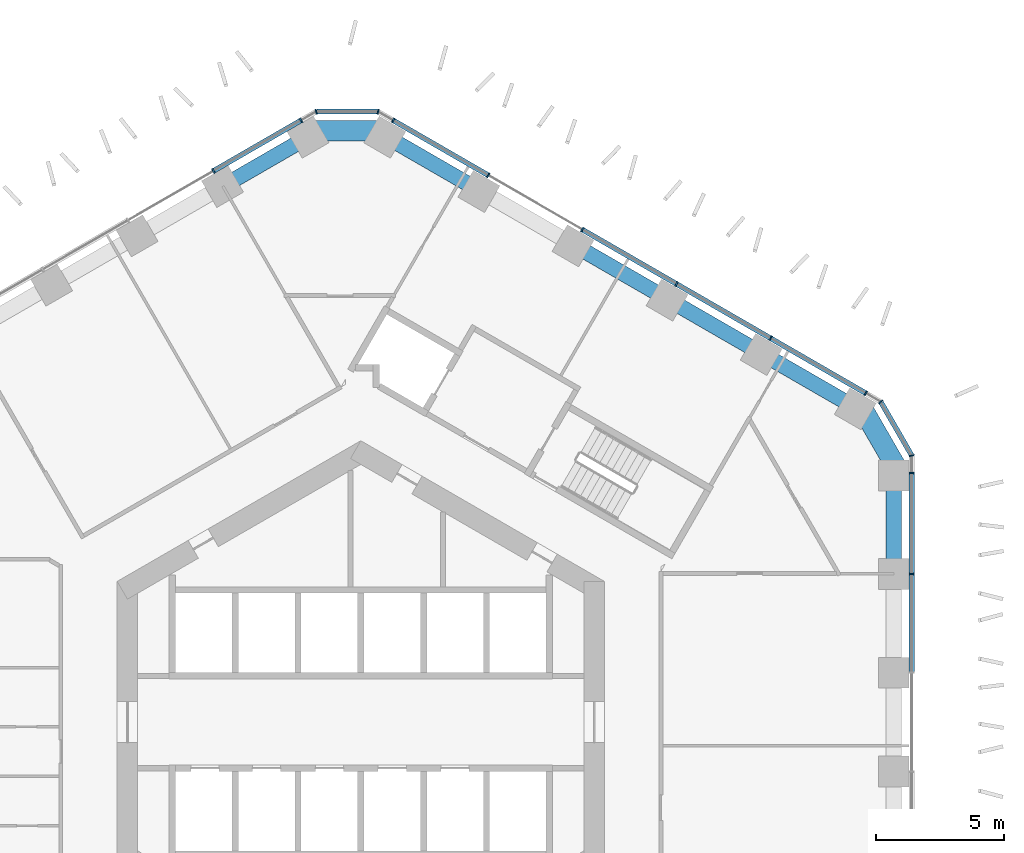
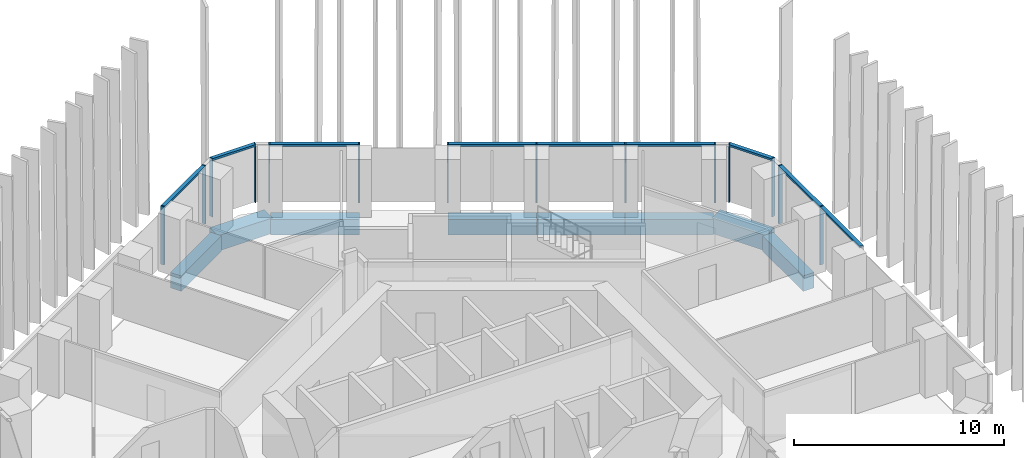
# One storey, part 6 of 19: 20 members, 8 beams, 5 elements without a shape of their own.
"""IFC4 building model written with IfcOpenShell, lengths in metres."""

import ifcopenshell
import ifcopenshell.guid

model = None  # the IFC model being written
_history = None  # IfcOwnerHistory: only IFC2X3 demands one
_inside = {}  # id of a spatial element -> (the spatial element, [elements in it])
_under = {}  # id of a project, library or spatial element -> (it, [spatial elements below it])
_declared = {}  # id of a project -> (the project, [libraries it declares])
_typed = {}  # id of a type object -> (the type object, [elements of that type])
_made_of = {}  # id of a material, layer set ... -> (it, [elements and type objects made of it])


def new_model(schema):
    """Start an empty IFC model of exactly this schema.

    Asked for "IFC4X3", IfcOpenShell would pick the latest addendum, in which some entities
    have other attributes; the version numbers below select the first issue.
    IFC2X3 requires an IfcOwnerHistory on every rooted entity: one is made here for all.
    """
    global model, _history
    if schema == "IFC4X3":
        model = ifcopenshell.file(schema_version=(4, 3, 0, 0))
    else:
        model = ifcopenshell.file(schema=schema)
    _inside.clear()
    _under.clear()
    _declared.clear()
    _typed.clear()
    _made_of.clear()
    _history = None
    if model.schema == "IFC2X3":
        org = make("IfcOrganization", Name="unknown")
        user = make(
            "IfcPersonAndOrganization",
            ThePerson=make("IfcPerson", FamilyName="unknown"),
            TheOrganization=org,
        )
        app = make(
            "IfcApplication",
            ApplicationDeveloper=org,
            Version="unknown",
            ApplicationFullName="unknown",
            ApplicationIdentifier="unknown",
        )
        _history = make(
            "IfcOwnerHistory",
            OwningUser=user,
            OwningApplication=app,
            ChangeAction="ADDED",
            CreationDate=0,
        )
    return model


def make(cls, **values):
    """One entity of the class cls with the attributes given. An attribute that is None is left unset."""
    return model.create_entity(
        cls, **{name: value for name, value in values.items() if value is not None}
    )


def rooted(cls, **values):
    """An entity with a GlobalId (a new one), such as an element, a storey or a relation."""
    return make(cls, GlobalId=ifcopenshell.guid.new(), OwnerHistory=_history, **values)


def si_unit(unit_type, name, prefix=None):
    """IfcSIUnit, for example si_unit("LENGTHUNIT", "METRE", prefix="MILLI")."""
    return make("IfcSIUnit", UnitType=unit_type, Prefix=prefix, Name=name)


def assignment(units):
    """IfcUnitAssignment: the units of a project."""
    return None if units is None else make("IfcUnitAssignment", Units=units)


def point(xyz):
    """IfcCartesianPoint."""
    return None if xyz is None else make("IfcCartesianPoint", Coordinates=xyz)


def direction(xyz):
    """IfcDirection."""
    return None if xyz is None else make("IfcDirection", DirectionRatios=xyz)


def frame(location, z_axis=None, x_axis=None):
    """IfcAxis2Placement3D, a coordinate frame: its origin and axes. An axis left out is left unset."""
    return make(
        "IfcAxis2Placement3D",
        Location=point(location),
        Axis=direction(z_axis),
        RefDirection=direction(x_axis),
    )


def frame_2d(location, x_axis=None):
    """IfcAxis2Placement2D, a coordinate frame in the plane: its origin and x axis."""
    return make(
        "IfcAxis2Placement2D", Location=point(location), RefDirection=direction(x_axis)
    )


def origin():
    """The frame at (0, 0, 0) with its axes left unset."""
    return frame((0.0, 0.0, 0.0))


def origin_2d():
    """The frame at (0, 0) in the plane with its x axis left unset."""
    return frame_2d((0.0, 0.0))


def place(relative_to, where):
    """IfcLocalPlacement: puts the frame where relative to a parent placement (None: the world)."""
    return make(
        "IfcLocalPlacement", PlacementRelTo=relative_to, RelativePlacement=where
    )


def context(
    kind, dimensions, precision=None, world=None, true_north=None, identifier=None
):
    """IfcGeometricRepresentationContext, for example the 3D "Model" context."""
    return make(
        "IfcGeometricRepresentationContext",
        ContextIdentifier=identifier,
        ContextType=kind,
        CoordinateSpaceDimension=dimensions,
        Precision=precision,
        WorldCoordinateSystem=world,
        TrueNorth=true_north,
    )


def subcontext(parent, identifier, kind, view, scale=None):
    """IfcGeometricRepresentationSubContext, for example "Body" below "Model"."""
    return make(
        "IfcGeometricRepresentationSubContext",
        ContextIdentifier=identifier,
        ContextType=kind,
        ParentContext=parent,
        TargetScale=scale,
        TargetView=view,
    )


def project(units=None, contexts=None):
    """IfcProject with its units and contexts."""
    return rooted(
        "IfcProject",
        Name="project",
        RepresentationContexts=contexts,
        UnitsInContext=assignment(units),
    )


def spatial(cls, under=None, at=None, **own):
    """A site, building, storey or space (cls), placed at a placement, below another one or the project."""
    s = rooted(cls, ObjectPlacement=at, **own)
    if under is not None:
        _under.setdefault(under.id(), (under, []))[1].append(s)
    return s


def profile(cls, at=None, kind="AREA", **sizes):
    """A parametric profile (cls). Its sizes go by their IFC names, for example OverallWidth=200.0."""
    return make(cls, ProfileType=kind, Position=at, **sizes)


def rectangle(**sizes):
    """IfcRectangleProfileDef."""
    return profile("IfcRectangleProfileDef", **sizes)


def extrude(swept, where, along, depth):
    """IfcExtrudedAreaSolid: the profile swept, set in the frame where, extruded along a direction by depth."""
    return make(
        "IfcExtrudedAreaSolid",
        SweptArea=swept,
        Position=where,
        ExtrudedDirection=direction(along),
        Depth=depth,
    )


def shape(context_of_items, identifier, shape_type, items):
    """IfcShapeRepresentation: the items that make up one representation, for example the "Body"."""
    return make(
        "IfcShapeRepresentation",
        ContextOfItems=context_of_items,
        RepresentationIdentifier=identifier,
        RepresentationType=shape_type,
        Items=items,
    )


def material(Name=None, Category=None):
    """IfcMaterial."""
    return make("IfcMaterial", Name=Name, Category=Category)


def layer(
    of_material, thickness, ventilated=None, Name=None, Category=None, Priority=None
):
    """IfcMaterialLayer: one layer of a wall or slab, of a material (None: an air gap)."""
    return make(
        "IfcMaterialLayer",
        Material=of_material,
        LayerThickness=thickness,
        IsVentilated=ventilated,
        Name=Name,
        Category=Category,
        Priority=Priority,
    )


def layer_set(layers, Name=None):
    """IfcMaterialLayerSet."""
    return make("IfcMaterialLayerSet", MaterialLayers=layers, LayerSetName=Name)


def material_profile(
    of_material, cross_section, Name=None, Category=None, Priority=None
):
    """IfcMaterialProfile: a cross section and its material."""
    return make(
        "IfcMaterialProfile",
        Name=Name,
        Material=of_material,
        Profile=cross_section,
        Priority=Priority,
        Category=Category,
    )


def profile_set(profiles, Name=None, composite=None):
    """IfcMaterialProfileSet."""
    return make(
        "IfcMaterialProfileSet",
        Name=Name,
        MaterialProfiles=profiles,
        CompositeProfile=composite,
    )


def made_of(thing, what):
    """Note that an element or type object is made of a material, layer set ...; save() writes the relation."""
    if what is not None:
        _made_of.setdefault(what.id(), (what, []))[1].append(thing)
    return thing


def type_object(cls, material=None, **own):
    """A type object (cls), such as IfcWallType, which elements share."""
    return made_of(rooted(cls, **own), material)


def element(
    cls,
    number,
    at=None,
    inside=None,
    cuts=None,
    type_object=None,
    material=None,
    context=None,
    identifier="Body",
    shape_type=None,
    held_by="IfcProductDefinitionShape",
    body=None,
    shapes=None,
    **own,
):
    """One element of the class cls, such as IfcWall. Its Tag is "e" and its number.

    at: its placement. inside: the storey or other place that contains it. cuts: it is an
    opening in that element (IfcRelVoidsElement). A single representation is given by context,
    identifier, shape_type and body (its items); several are given by shapes. held_by: the class
    of the entity that holds the representations. save() writes the other relations.
    """
    e = rooted(cls, Tag="e%d" % number, ObjectPlacement=at, **own)
    if body is not None:
        shapes = [shape(context, identifier, shape_type, body)]
    if shapes is not None:
        e.Representation = make(held_by, Representations=shapes)
    if inside is not None:
        _inside.setdefault(inside.id(), (inside, []))[1].append(e)
    if cuts is not None:
        rooted(
            "IfcRelVoidsElement", RelatingBuildingElement=cuts, RelatedOpeningElement=e
        )
    if type_object is not None:
        _typed.setdefault(type_object.id(), (type_object, []))[1].append(e)
    return made_of(e, material)


def aggregate(whole, parts):
    """IfcRelAggregates: a whole, such as a stair, and the parts it consists of."""
    return rooted("IfcRelAggregates", RelatingObject=whole, RelatedObjects=parts)


def save(model, path):
    """Write the relations noted so far, then the file.

    IfcRelAggregates (storeys below a building ...), IfcRelContainedInSpatialStructure (elements
    in a storey), IfcRelDefinesByType, IfcRelAssociatesMaterial and IfcRelDeclares: one each for
    every whole, place, type object, material and project.
    """
    for whole, parts in _under.values():
        aggregate(whole, parts)
    for where, things in _inside.values():
        rooted(
            "IfcRelContainedInSpatialStructure",
            RelatedElements=things,
            RelatingStructure=where,
        )
    for kind, things in _typed.values():
        rooted("IfcRelDefinesByType", RelatedObjects=things, RelatingType=kind)
    for what, things in _made_of.values():
        rooted("IfcRelAssociatesMaterial", RelatedObjects=things, RelatingMaterial=what)
    for by, libraries in _declared.values():
        rooted("IfcRelDeclares", RelatingContext=by, RelatedDefinitions=libraries)
    model.write(path)


model = new_model("IFC4")

# Units and contexts
model_context = context("Model", 3, precision=1e-05, world=origin(), true_north=direction((0.0, 1.0)))
body_context = subcontext(model_context, "Body", "Model", "MODEL_VIEW")
ifc_project = project(units=[si_unit("LENGTHUNIT", "METRE"), si_unit("AREAUNIT", "SQUARE_METRE"), si_unit("VOLUMEUNIT", "CUBIC_METRE"), si_unit("PLANEANGLEUNIT", "RADIAN"), si_unit("MASSUNIT", "GRAM", prefix="KILO")], contexts=[model_context])

# Site, building, storey
site_placement = place(None, origin())
site = spatial("IfcSite", under=ifc_project, at=site_placement, CompositionType="ELEMENT")
building_placement = place(site_placement, origin())
building = spatial("IfcBuilding", under=site, at=building_placement, Name="Ayvan Gate Tower", CompositionType="ELEMENT")
storey_placement = place(building_placement, frame((0.0, 0.0, 56.10009765625)))
storey = spatial("IfcBuildingStorey", under=building, at=storey_placement, Name="L14", CompositionType="ELEMENT", Elevation=56.10009765625)

# Beams
ifc_material_1 = material(Name="Concrete C40/50", Category="concrete")
ifc_material_profile_1 = material_profile(ifc_material_1, rectangle(XDim=0.800048828125, YDim=0.89990234375, at=origin_2d()), Name="RC 800x900")
ifc_profile_set_1 = profile_set([ifc_material_profile_1], Name="Concrete C40/50")
beam_type_1 = type_object("IfcBeamType", Name="Corner spandrel beam RC 800x900 C40/50", PredefinedType="BEAM", material=ifc_profile_set_1)
for number, where, z_axis, x_axis, name in (
    (1, (20.97509765625, 9.77734375, -0.800048828125), (-0.499990139034, 0.866031096941, 0.0), (-0.866031096941, -0.499990139034, 0.0), "SB-L14-6"),
    (2, (0.979736328125, 23.0537109375, -0.800048828125), (-1.0, 0.0, 0.0), (0.0, -1.0, 0.0), "SB-L14-12"),
):
    element("IfcBeam", number, at=place(storey_placement, frame(where, z_axis=z_axis, x_axis=x_axis)), inside=storey, type_object=beam_type_1, Name=name, PredefinedType="BEAM", context=body_context, shape_type="SweptSolid", body=[
        extrude(rectangle(XDim=0.800048828125, YDim=0.89990234375, at=origin_2d()), origin(), (0.0, 0.0, 1.0), 3.0),
    ])
ifc_material_profile_2 = material_profile(ifc_material_1, rectangle(XDim=0.60009765625, YDim=0.89990234375, at=origin_2d()), Name="RC 600x900")
ifc_profile_set_2 = profile_set([ifc_material_profile_2], Name="Concrete C40/50")
beam_type_2 = type_object("IfcBeamType", Name="Spandrel beam RC 600x900 C40/50", PredefinedType="BEAM", material=ifc_profile_set_2)
beam_1_placement = place(storey_placement, frame((20.78466796875, 5.80029296875, -0.800048828125), z_axis=(0.0, 1.0, 0.0), x_axis=(-1.0, 0.0, 0.0)))
element("IfcBeam", 3, at=beam_1_placement, inside=storey, type_object=beam_type_2, Name="SB-L14-5", PredefinedType="BEAM", context=body_context, shape_type="SweptSolid", body=[
    extrude(rectangle(XDim=0.60009765625, YDim=0.89990234375, at=origin_2d()), origin(), (0.0, 0.0, 1.0), 3.866943359375),
])
beam_2_placement = place(storey_placement, frame((19.28466796875, 12.265380859375, -0.800048828125), z_axis=(-0.866024019333, 0.500002397932, 0.0), x_axis=(-0.500002397932, -0.866024019333, 0.0)))
element("IfcBeam", 4, at=beam_2_placement, inside=storey, type_object=beam_type_2, Name="SB-L14-7", PredefinedType="BEAM", context=body_context, shape_type="SweptSolid", body=[
    extrude(rectangle(XDim=0.60009765625, YDim=0.89990234375, at=origin_2d()), origin(), (0.0, 0.0, 1.0), 4.2275390625),
])
for number, where, z_axis, x_axis, name in (
    (5, (15.62353515625, 14.379150390625, -0.800048828125), (-0.86603458896, 0.499984090472, 0.0), (-0.499984090472, -0.86603458896, 0.0), "SB-L14-8"),
    (6, (11.962646484375, 16.49267578125, -0.800048828125), (-0.866009580528, 0.500027405683, 0.0), (-0.500027405683, -0.866009580528, 0.0), "SB-L14-9"),
):
    element("IfcBeam", number, at=place(storey_placement, frame(where, z_axis=z_axis, x_axis=x_axis)), inside=storey, type_object=beam_type_2, Name=name, PredefinedType="BEAM", context=body_context, shape_type="SweptSolid", body=[
        extrude(rectangle(XDim=0.60009765625, YDim=0.89990234375, at=origin_2d()), origin(), (0.0, 0.0, 1.0), 4.227294921875),
    ])
beam_3_placement = place(storey_placement, frame((4.640869140625, 20.719970703125, -0.800048828125), z_axis=(-0.866024019333, 0.500002397932, 0.0), x_axis=(-0.500002397932, -0.866024019333, 0.0)))
element("IfcBeam", 7, at=beam_3_placement, inside=storey, type_object=beam_type_2, Name="SB-L14-11", PredefinedType="BEAM", context=body_context, shape_type="SweptSolid", body=[
    extrude(rectangle(XDim=0.60009765625, YDim=0.89990234375, at=origin_2d()), origin(), (0.0, 0.0, 1.0), 4.2275390625),
])
beam_4_placement = place(storey_placement, frame((-2.020263671875, 22.833740234375, -0.800048828125), z_axis=(-0.865996321171, -0.50005036918, 0.0), x_axis=(0.50005036918, -0.865996321171, 0.0)))
element("IfcBeam", 8, at=beam_4_placement, inside=storey, type_object=beam_type_2, Name="SB-L14-13", PredefinedType="BEAM", context=body_context, shape_type="SweptSolid", body=[
    extrude(rectangle(XDim=0.60009765625, YDim=0.89990234375, at=origin_2d()), origin(), (0.0, 0.0, 1.0), 3.86669921875),
])

# Curtain wall, members
ifc_material_2 = material(Name="Bronze anodised aluminium", Category="aluminium")
ifc_layer_1 = layer(ifc_material_2, 0.199951171875)
ifc_layer_set_1 = layer_set([ifc_layer_1], Name="Bronze anodised aluminium")
curtain_wall_type_1 = type_object("IfcCurtainWallType", Name="Stick curtain wall CW-1", PredefinedType="NOTDEFINED", material=ifc_layer_set_1)
curtain_wall_1_placement = place(storey_placement, origin())
curtain_wall_1 = element("IfcCurtainWall", 9, at=curtain_wall_1_placement, inside=storey, type_object=curtain_wall_type_1, Name="Stick curtain wall CW-1 L14", PredefinedType="NOTDEFINED")
ifc_material_profile_3 = material_profile(ifc_material_2, rectangle(XDim=0.199951171875, YDim=0.06005859375, at=origin_2d()), Name="Stick curtain wall CW-1 mullion 200 x 60")
ifc_profile_set_3 = profile_set([ifc_material_profile_3], Name="Bronze anodised aluminium")
member_type_1 = type_object("IfcMemberType", Name="Stick curtain wall CW-1 mullion 200 x 60", PredefinedType="MULLION", material=ifc_profile_set_3)
member_1_placement = place(storey_placement, frame((-2.330322265625, 23.462890625, 0.0), z_axis=(0.0, 0.0, 1.0), x_axis=(-0.5, 0.866025403784, 0.0)))
member_1 = element("IfcMember", 10, at=member_1_placement, type_object=member_type_1, Name="CW-1 mullion 1", PredefinedType="MULLION", context=body_context, shape_type="SweptSolid", body=[
    extrude(rectangle(XDim=0.199951171875, YDim=0.06005859375, at=origin_2d()), origin(), (0.0, 0.0, 1.0), 3.39990234375),
])
member_2_placement = place(storey_placement, frame((-5.7451171875, 21.491455078125, 0.0), z_axis=(0.0, 0.0, 1.0), x_axis=(-0.5, 0.866025403784, 0.0)))
member_2 = element("IfcMember", 11, at=member_2_placement, type_object=member_type_1, Name="CW-1 mullion 2", PredefinedType="MULLION", context=body_context, shape_type="SweptSolid", body=[
    extrude(rectangle(XDim=0.199951171875, YDim=0.06005859375, at=origin_2d()), origin(), (0.0, 0.0, 1.0), 3.39990234375),
])

curtain_wall_2_placement = place(storey_placement, origin())
curtain_wall_2 = element("IfcCurtainWall", 12, at=curtain_wall_2_placement, inside=storey, type_object=curtain_wall_type_1, Name="Stick curtain wall CW-1 L14", PredefinedType="NOTDEFINED")
member_3_placement = place(storey_placement, frame((21.484619140625, 5.770751953125, 0.0), z_axis=(0.0, 0.0, 1.0), x_axis=(1.0, 0.0, 0.0)))
member_3 = element("IfcMember", 13, at=member_3_placement, type_object=member_type_1, Name="CW-1 mullion 5", PredefinedType="MULLION", context=body_context, shape_type="SweptSolid", body=[
    extrude(rectangle(XDim=0.199951171875, YDim=0.06005859375, at=origin_2d()), origin(), (0.0, 0.0, 1.0), 3.39990234375),
])
member_4_placement = place(storey_placement, frame((21.484619140625, 9.71337890625, 0.0), z_axis=(0.0, 0.0, 1.0), x_axis=(1.0, 0.0, 0.0)))
member_4 = element("IfcMember", 14, at=member_4_placement, type_object=member_type_1, Name="CW-1 mullion 6", PredefinedType="MULLION", context=body_context, shape_type="SweptSolid", body=[
    extrude(rectangle(XDim=0.199951171875, YDim=0.06005859375, at=origin_2d()), origin(), (0.0, 0.0, 1.0), 3.39990234375),
])

curtain_wall_3_placement = place(storey_placement, origin())
curtain_wall_3 = element("IfcCurtainWall", 15, at=curtain_wall_3_placement, inside=storey, type_object=curtain_wall_type_1, Name="Stick curtain wall CW-1 L14", PredefinedType="NOTDEFINED")
member_5_placement = place(storey_placement, frame((19.6884765625, 12.824462890625, 0.0), z_axis=(0.0, 0.0, 1.0), x_axis=(0.5, 0.866025403784, 0.0)))
member_5 = element("IfcMember", 16, at=member_5_placement, type_object=member_type_1, Name="CW-1 mullion 1", PredefinedType="MULLION", context=body_context, shape_type="SweptSolid", body=[
    extrude(rectangle(XDim=0.199951171875, YDim=0.06005859375, at=origin_2d()), origin(), (0.0, 0.0, 1.0), 3.39990234375),
])
member_6_placement = place(storey_placement, frame((15.980224609375, 14.96533203125, 0.0), z_axis=(0.0, 0.0, 1.0), x_axis=(0.5, 0.866025403784, 0.0)))
member_6 = element("IfcMember", 17, at=member_6_placement, type_object=member_type_1, Name="CW-1 mullion 2", PredefinedType="MULLION", context=body_context, shape_type="SweptSolid", body=[
    extrude(rectangle(XDim=0.199951171875, YDim=0.06005859375, at=origin_2d()), origin(), (0.0, 0.0, 1.0), 3.39990234375),
])
member_7_placement = place(storey_placement, frame((12.309814453125, 17.08447265625, 0.0), z_axis=(0.0, 0.0, 1.0), x_axis=(0.5, 0.866025403784, 0.0)))
member_7 = element("IfcMember", 18, at=member_7_placement, type_object=member_type_1, Name="CW-1 mullion 3", PredefinedType="MULLION", context=body_context, shape_type="SweptSolid", body=[
    extrude(rectangle(XDim=0.199951171875, YDim=0.06005859375, at=origin_2d()), origin(), (0.0, 0.0, 1.0), 3.39990234375),
])
member_8_placement = place(storey_placement, frame((8.640625, 19.202880859375, 0.0), z_axis=(0.0, 0.0, 1.0), x_axis=(0.5, 0.866025403784, 0.0)))
member_8 = element("IfcMember", 19, at=member_8_placement, type_object=member_type_1, Name="CW-1 mullion 4", PredefinedType="MULLION", context=body_context, shape_type="SweptSolid", body=[
    extrude(rectangle(XDim=0.199951171875, YDim=0.06005859375, at=origin_2d()), origin(), (0.0, 0.0, 1.0), 3.39990234375),
])
member_9_placement = place(storey_placement, frame((4.970458984375, 21.322021484375, 0.0), z_axis=(0.0, 0.0, 1.0), x_axis=(0.5, 0.866025403784, 0.0)))
member_9 = element("IfcMember", 20, at=member_9_placement, type_object=member_type_1, Name="CW-1 mullion 5", PredefinedType="MULLION", context=body_context, shape_type="SweptSolid", body=[
    extrude(rectangle(XDim=0.199951171875, YDim=0.06005859375, at=origin_2d()), origin(), (0.0, 0.0, 1.0), 3.39990234375),
])
member_10_placement = place(storey_placement, frame((1.261962890625, 23.462890625, 0.0), z_axis=(0.0, 0.0, 1.0), x_axis=(0.5, 0.866025403784, 0.0)))
member_10 = element("IfcMember", 21, at=member_10_placement, type_object=member_type_1, Name="CW-1 mullion 6", PredefinedType="MULLION", context=body_context, shape_type="SweptSolid", body=[
    extrude(rectangle(XDim=0.199951171875, YDim=0.06005859375, at=origin_2d()), origin(), (0.0, 0.0, 1.0), 3.39990234375),
])

# Member
ifc_material_profile_4 = material_profile(ifc_material_2, rectangle(XDim=0.199951171875, YDim=0.1201171875, at=origin_2d()), Name="Stick curtain wall CW-1 transom 200 x 120")
ifc_profile_set_4 = profile_set([ifc_material_profile_4], Name="Bronze anodised aluminium")
member_type_2 = type_object("IfcMemberType", Name="Stick curtain wall CW-1 transom 200 x 120", PredefinedType="USERDEFINED", material=ifc_profile_set_4)
member_11_placement = place(storey_placement, frame((-2.330322265625, 23.462890625, 3.33984375), z_axis=(-0.866015184065, -0.500017700655, 0.0), x_axis=(0.500017700655, -0.866015184065, 0.0)))
member_11 = element("IfcMember", 22, at=member_11_placement, type_object=member_type_2, Name="CW-1 transom 1", ObjectType="TRANSOM", PredefinedType="USERDEFINED", context=body_context, shape_type="SweptSolid", body=[
    extrude(rectangle(XDim=0.199951171875, YDim=0.1201171875, at=origin_2d()), origin(), (0.0, 0.0, 1.0), 3.912841796875),
])

aggregate(curtain_wall_1, [member_1, member_2, member_11])

member_12_placement = place(storey_placement, frame((21.484619140625, 1.95361328125, 3.33984375), z_axis=(0.0, 1.0, 0.0), x_axis=(-1.0, 0.0, 0.0)))
member_12 = element("IfcMember", 23, at=member_12_placement, type_object=member_type_2, Name="CW-1 transom 2", ObjectType="TRANSOM", PredefinedType="USERDEFINED", context=body_context, shape_type="SweptSolid", body=[
    extrude(rectangle(XDim=0.199951171875, YDim=0.1201171875, at=origin_2d()), origin(), (0.0, 0.0, 1.0), 7.759765625),
])

aggregate(curtain_wall_2, [member_3, member_4, member_12])

member_13_placement = place(storey_placement, frame((19.6884765625, 12.824462890625, 3.33984375), z_axis=(-0.866025862736, 0.499999205072, 0.0), x_axis=(-0.499999205072, -0.866025862736, 0.0)))
member_13 = element("IfcMember", 24, at=member_13_placement, type_object=member_type_2, Name="CW-1 transom 1", ObjectType="TRANSOM", PredefinedType="USERDEFINED", context=body_context, shape_type="SweptSolid", body=[
    extrude(rectangle(XDim=0.199951171875, YDim=0.1201171875, at=origin_2d()), origin(), (0.0, 0.0, 1.0), 12.72705078125),
])

member_14_placement = place(storey_placement, frame((4.9443359375, 21.3369140625, 3.33984375), z_axis=(-0.866029732576, 0.499992502239, 0.0), x_axis=(-0.499992502239, -0.866029732576, 0.0)))
member_14 = element("IfcMember", 25, at=member_14_placement, type_object=member_type_2, Name="CW-1 transom 2", ObjectType="TRANSOM", PredefinedType="USERDEFINED", context=body_context, shape_type="SweptSolid", body=[
    extrude(rectangle(XDim=0.199951171875, YDim=0.1201171875, at=origin_2d()), origin(), (0.0, 0.0, 1.0), 4.251953125),
])

aggregate(curtain_wall_3, [member_5, member_6, member_7, member_8, member_9, member_10, member_13, member_14])

# Curtain wall, members
ifc_layer_2 = layer(ifc_material_2, 0.199951171875)
ifc_layer_set_2 = layer_set([ifc_layer_2], Name="Bronze anodised aluminium")
curtain_wall_type_2 = type_object("IfcCurtainWallType", Name="Stick curtain wall CW-6", PredefinedType="NOTDEFINED", material=ifc_layer_set_2)
curtain_wall_4_placement = place(storey_placement, origin())
curtain_wall_4 = element("IfcCurtainWall", 26, at=curtain_wall_4_placement, inside=storey, type_object=curtain_wall_type_2, Name="Stick curtain wall CW-6 L14", PredefinedType="NOTDEFINED")
ifc_material_profile_5 = material_profile(ifc_material_2, rectangle(XDim=0.199951171875, YDim=0.050048828125, at=origin_2d()), Name="Stick curtain wall CW-6 mullion 200 x 50")
ifc_profile_set_5 = profile_set([ifc_material_profile_5], Name="Bronze anodised aluminium")
member_type_3 = type_object("IfcMemberType", Name="Stick curtain wall CW-6 mullion 200 x 50", PredefinedType="MULLION", material=ifc_profile_set_5)
member_15_placement = place(storey_placement, frame((21.484619140625, 10.393310546875, 0.0), z_axis=(0.0, 0.0, 1.0), x_axis=(0.965925826289, 0.258819045103, 0.0)))
member_15 = element("IfcMember", 27, at=member_15_placement, type_object=member_type_3, Name="CW-6 mullion 2", PredefinedType="MULLION", context=body_context, shape_type="SweptSolid", body=[
    extrude(rectangle(XDim=0.199951171875, YDim=0.050048828125, at=origin_2d()), origin(), (0.0, 0.0, 1.0), 3.39990234375),
])
member_16_placement = place(storey_placement, frame((20.27734375, 12.484375, 0.0), z_axis=(0.0, 0.0, 1.0), x_axis=(0.707106781187, 0.707106781187, 0.0)))
member_16 = element("IfcMember", 28, at=member_16_placement, type_object=member_type_3, Name="CW-6 mullion 3", PredefinedType="MULLION", context=body_context, shape_type="SweptSolid", body=[
    extrude(rectangle(XDim=0.199951171875, YDim=0.050048828125, at=origin_2d()), origin(), (0.0, 0.0, 1.0), 3.39990234375),
])

curtain_wall_5_placement = place(storey_placement, origin())
curtain_wall_5 = element("IfcCurtainWall", 29, at=curtain_wall_5_placement, inside=storey, type_object=curtain_wall_type_2, Name="Stick curtain wall CW-6 L14", PredefinedType="NOTDEFINED")
member_17_placement = place(storey_placement, frame((0.673095703125, 23.802978515625, 0.0), z_axis=(0.0, 0.0, 1.0), x_axis=(0.258819045103, 0.965925826289, 0.0)))
member_17 = element("IfcMember", 30, at=member_17_placement, type_object=member_type_3, Name="CW-6 mullion 2", PredefinedType="MULLION", context=body_context, shape_type="SweptSolid", body=[
    extrude(rectangle(XDim=0.199951171875, YDim=0.050048828125, at=origin_2d()), origin(), (0.0, 0.0, 1.0), 3.39990234375),
])
member_18_placement = place(storey_placement, frame((-1.741455078125, 23.802978515625, 0.0), z_axis=(0.0, 0.0, 1.0), x_axis=(-0.258819045103, 0.965925826289, 0.0)))
member_18 = element("IfcMember", 31, at=member_18_placement, type_object=member_type_3, Name="CW-6 mullion 3", PredefinedType="MULLION", context=body_context, shape_type="SweptSolid", body=[
    extrude(rectangle(XDim=0.199951171875, YDim=0.050048828125, at=origin_2d()), origin(), (0.0, 0.0, 1.0), 3.39990234375),
])

# Member
ifc_material_profile_6 = material_profile(ifc_material_2, rectangle(XDim=0.199951171875, YDim=0.1201171875, at=origin_2d()), Name="Stick curtain wall CW-6 transom 200 x 120")
ifc_profile_set_6 = profile_set([ifc_material_profile_6], Name="Bronze anodised aluminium")
member_type_4 = type_object("IfcMemberType", Name="Stick curtain wall CW-6 transom 200 x 120", PredefinedType="USERDEFINED", material=ifc_profile_set_6)
member_19_placement = place(storey_placement, frame((21.47216796875, 10.4150390625, 3.33984375), z_axis=(-0.500059108572, 0.865991274745, 0.0), x_axis=(-0.865991274745, -0.500059108572, 0.0)))
member_19 = element("IfcMember", 32, at=member_19_placement, type_object=member_type_4, Name="CW-6 transom 2", ObjectType="TRANSOM", PredefinedType="USERDEFINED", context=body_context, shape_type="SweptSolid", body=[
    extrude(rectangle(XDim=0.199951171875, YDim=0.1201171875, at=origin_2d()), origin(), (0.0, 0.0, 1.0), 2.364501953125),
])

aggregate(curtain_wall_4, [member_15, member_16, member_19])

member_20_placement = place(storey_placement, frame((0.648193359375, 23.802978515625, 3.33984375), z_axis=(-1.0, 0.0, 0.0), x_axis=(0.0, -1.0, 0.0)))
member_20 = element("IfcMember", 33, at=member_20_placement, type_object=member_type_4, Name="CW-6 transom 2", ObjectType="TRANSOM", PredefinedType="USERDEFINED", context=body_context, shape_type="SweptSolid", body=[
    extrude(rectangle(XDim=0.199951171875, YDim=0.1201171875, at=origin_2d()), origin(), (0.0, 0.0, 1.0), 2.364501953125),
])

aggregate(curtain_wall_5, [member_17, member_18, member_20])

save(model, "model.ifc")
